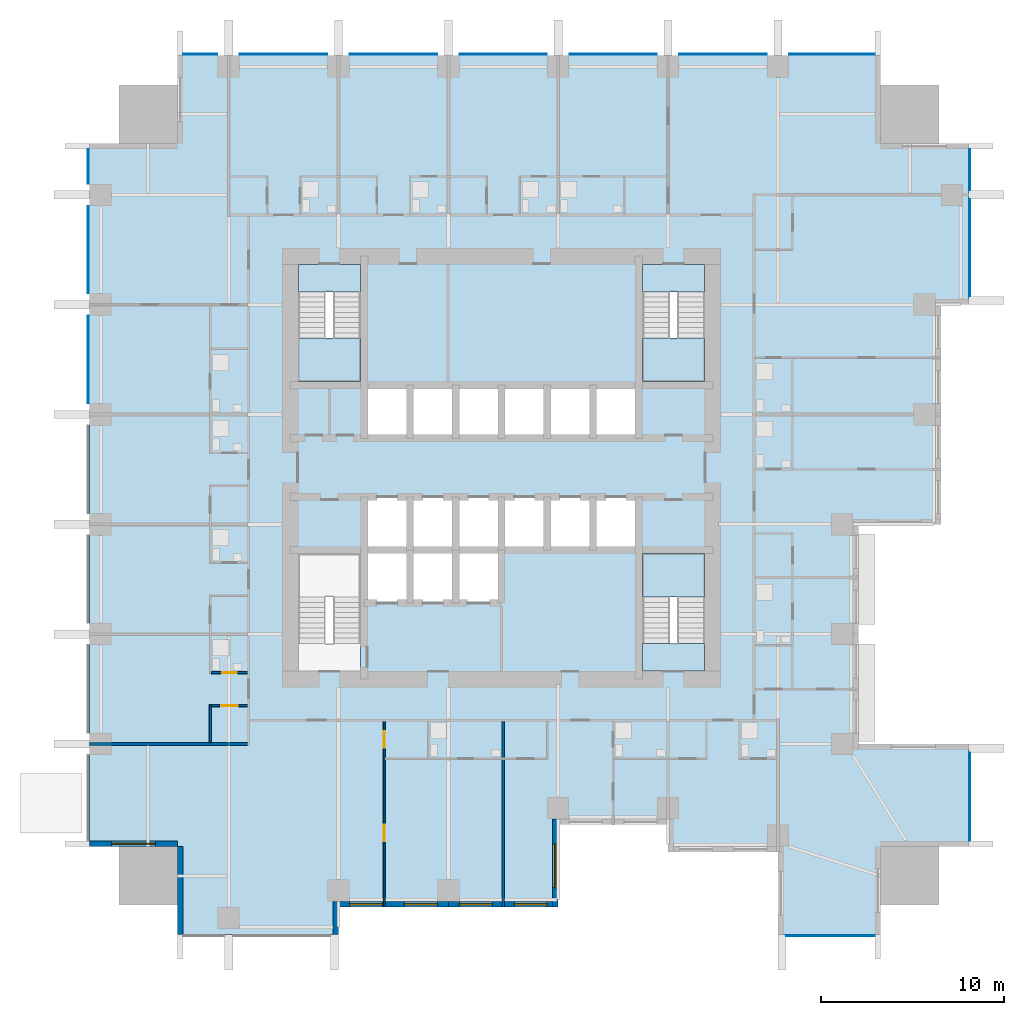
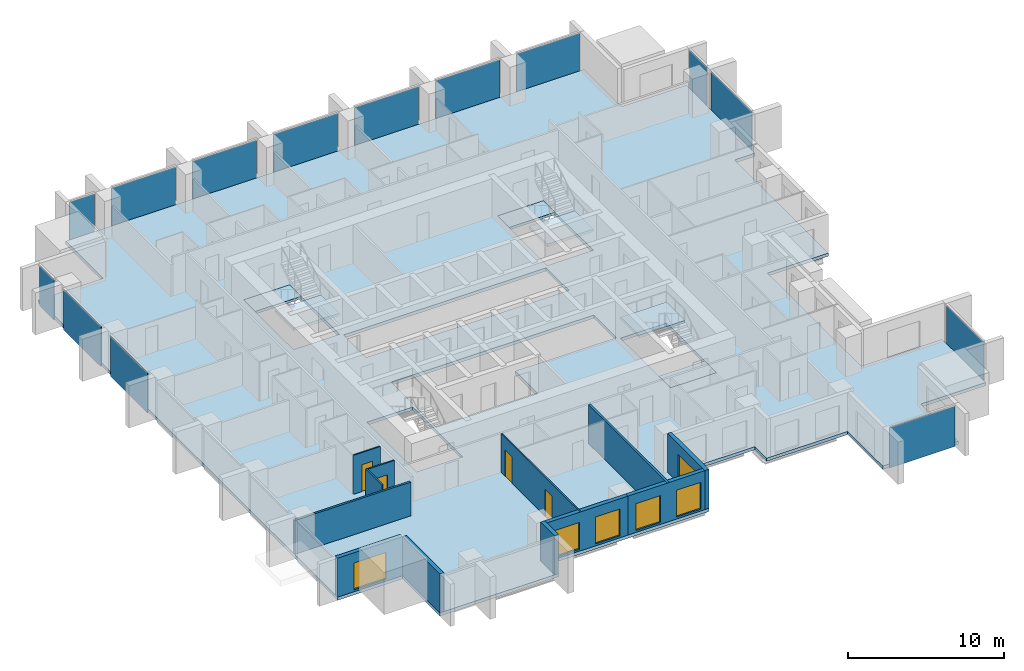
# One storey, part 3 of 10: 14 plates, 12 walls, 7 slabs, 6 windows, 4 doors, 10 openings, 8 elements without a shape of their own.
"""IFC4 building model written with IfcOpenShell, lengths in metres."""

from ifc_helpers import new_model, si_unit, direction, frame, frame_2d, origin, origin_2d, place, context, subcontext, project, spatial, polyline, rectangle, outline, extrude, material, layer, layer_set, type_object, element, fill, aggregate, save


model = new_model("IFC4")

# Units and contexts
model_context = context("Model", 3, precision=1e-05, world=origin(), true_north=direction((0.0, 1.0)))
body_context = subcontext(model_context, "Body", "Model", "MODEL_VIEW")
ifc_project = project(units=[si_unit("LENGTHUNIT", "METRE"), si_unit("AREAUNIT", "SQUARE_METRE"), si_unit("VOLUMEUNIT", "CUBIC_METRE"), si_unit("PLANEANGLEUNIT", "RADIAN"), si_unit("MASSUNIT", "GRAM", prefix="KILO")], contexts=[model_context])

# Site, building, storey
site_placement = place(None, origin())
site = spatial("IfcSite", under=ifc_project, at=site_placement, CompositionType="ELEMENT")
building_placement = place(site_placement, origin())
building = spatial("IfcBuilding", under=site, at=building_placement, Name="Amberfall Residences", CompositionType="ELEMENT")
storey_placement = place(building_placement, frame((0.0, 0.0, 26.800048828125)))
storey = spatial("IfcBuildingStorey", under=building, at=storey_placement, Name="L06", CompositionType="ELEMENT", Elevation=26.800048828125)

# Curtain wall, plate
ifc_material_1 = material(Name="Bronze anodised aluminium and glass", Category="aluminium")
curtain_wall_type = type_object("IfcCurtainWallType", Name="Curtain wall CW1 tower unit", PredefinedType="USERDEFINED", material=ifc_material_1)
curtain_wall_1_placement = place(storey_placement, origin())
curtain_wall_1 = element("IfcCurtainWall", 1, at=curtain_wall_1_placement, inside=storey, type_object=curtain_wall_type, Name="Curtain wall L06 S S10", ObjectType="UNITISED CURTAIN WALL", PredefinedType="USERDEFINED")
ifc_material_2 = material(Name="Tinted double glazed unit", Category="glass")
ifc_layer_1 = layer(ifc_material_2, 0.035888671875)
ifc_layer_set_1 = layer_set([ifc_layer_1], Name="CW1 panel 36 glazing")
plate_type = type_object("IfcPlateType", Name="CW1 panel 36 glazing", PredefinedType="CURTAIN_PANEL", material=ifc_layer_set_1)
plate_1_placement = place(storey_placement, frame((92.47509765625, 19.925048828125, -0.25), z_axis=(0.0, 0.0, 1.0), x_axis=(1.0, 0.0, 0.0)))
plate_1 = element("IfcPlate", 2, at=plate_1_placement, type_object=plate_type, Name="CW1 panel 1.1", PredefinedType="CURTAIN_PANEL", context=body_context, shape_type="SweptSolid", body=[
    extrude(rectangle(XDim=4.825927734375, YDim=0.035888671875, at=origin_2d()), origin(), (0.0, 0.0, 1.0), 3.14990234375),
])
aggregate(curtain_wall_1, [plate_1])

curtain_wall_2_placement = place(storey_placement, origin())
curtain_wall_2 = element("IfcCurtainWall", 3, at=curtain_wall_2_placement, inside=storey, type_object=curtain_wall_type, Name="Curtain wall L06 E E1", ObjectType="UNITISED CURTAIN WALL", PredefinedType="USERDEFINED")
plate_2_placement = place(storey_placement, frame((100.074951171875, 27.52490234375, -0.25), z_axis=(0.0, 0.0, 1.0), x_axis=(0.0, 1.0, 0.0)))
plate_2 = element("IfcPlate", 4, at=plate_2_placement, type_object=plate_type, Name="CW1 panel 1.1", PredefinedType="CURTAIN_PANEL", context=body_context, shape_type="SweptSolid", body=[
    extrude(rectangle(XDim=4.825927734375, YDim=0.035888671875, at=origin_2d()), origin(), (0.0, 0.0, 1.0), 3.14990234375),
])
aggregate(curtain_wall_2, [plate_2])

# Curtain wall, plates
curtain_wall_3_placement = place(storey_placement, origin())
curtain_wall_3 = element("IfcCurtainWall", 5, at=curtain_wall_3_placement, inside=storey, type_object=curtain_wall_type, Name="Curtain wall L06 E E9", ObjectType="UNITISED CURTAIN WALL", PredefinedType="USERDEFINED")
plate_3_placement = place(storey_placement, frame((100.074951171875, 57.512451171875, -0.25), z_axis=(0.0, 0.0, 1.0), x_axis=(0.0, 1.0, 0.0)))
plate_3 = element("IfcPlate", 6, at=plate_3_placement, type_object=plate_type, Name="CW1 panel 1.1", PredefinedType="CURTAIN_PANEL", context=body_context, shape_type="SweptSolid", body=[
    extrude(rectangle(XDim=5.301025390625, YDim=0.035888671875, at=origin_2d()), origin(), (0.0, 0.0, 1.0), 3.14990234375),
])
plate_4_placement = place(storey_placement, frame((100.074951171875, 61.762451171875, -0.25), z_axis=(0.0, 0.0, 1.0), x_axis=(0.0, 1.0, 0.0)))
plate_4 = element("IfcPlate", 7, at=plate_4_placement, type_object=plate_type, Name="CW1 panel 2.1", PredefinedType="CURTAIN_PANEL", context=body_context, shape_type="SweptSolid", body=[
    extrude(rectangle(XDim=2.2509765625, YDim=0.035888671875, at=origin_2d()), origin(), (0.0, 0.0, 1.0), 3.14990234375),
])
aggregate(curtain_wall_3, [plate_3, plate_4])

curtain_wall_4_placement = place(storey_placement, origin())
curtain_wall_4 = element("IfcCurtainWall", 8, at=curtain_wall_4_placement, inside=storey, type_object=curtain_wall_type, Name="Curtain wall L06 N N1", ObjectType="UNITISED CURTAIN WALL", PredefinedType="USERDEFINED")
plate_5_placement = place(storey_placement, frame((92.552490234375, 68.074951171875, -0.25), z_axis=(0.0, 0.0, 1.0), x_axis=(-1.0, 0.0, 0.0)))
plate_5 = element("IfcPlate", 9, at=plate_5_placement, type_object=plate_type, Name="CW1 panel 1.1", PredefinedType="CURTAIN_PANEL", context=body_context, shape_type="SweptSolid", body=[
    extrude(rectangle(XDim=4.6708984375, YDim=0.035888671875, at=origin_2d()), origin(), (0.0, 0.0, 1.0), 3.14990234375),
])
plate_6_placement = place(storey_placement, frame((86.60009765625, 68.074951171875, -0.25), z_axis=(0.0, 0.0, 1.0), x_axis=(-1.0, 0.0, 0.0)))
plate_6 = element("IfcPlate", 10, at=plate_6_placement, type_object=plate_type, Name="CW1 panel 2.1", PredefinedType="CURTAIN_PANEL", context=body_context, shape_type="SweptSolid", body=[
    extrude(rectangle(XDim=4.76611328125, YDim=0.035888671875, at=origin_2d()), origin(), (0.0, 0.0, 1.0), 3.14990234375),
])
plate_7_placement = place(storey_placement, frame((80.60009765625, 68.074951171875, -0.25), z_axis=(0.0, 0.0, 1.0), x_axis=(-1.0, 0.0, 0.0)))
plate_7 = element("IfcPlate", 11, at=plate_7_placement, type_object=plate_type, Name="CW1 panel 3.1", PredefinedType="CURTAIN_PANEL", context=body_context, shape_type="SweptSolid", body=[
    extrude(rectangle(XDim=4.76611328125, YDim=0.035888671875, at=origin_2d()), origin(), (0.0, 0.0, 1.0), 3.14990234375),
])
plate_8_placement = place(storey_placement, frame((74.60009765625, 68.074951171875, -0.25), z_axis=(0.0, 0.0, 1.0), x_axis=(-1.0, 0.0, 0.0)))
plate_8 = element("IfcPlate", 12, at=plate_8_placement, type_object=plate_type, Name="CW1 panel 4.1", PredefinedType="CURTAIN_PANEL", context=body_context, shape_type="SweptSolid", body=[
    extrude(rectangle(XDim=4.76611328125, YDim=0.035888671875, at=origin_2d()), origin(), (0.0, 0.0, 1.0), 3.14990234375),
])
plate_9_placement = place(storey_placement, frame((68.60009765625, 68.074951171875, -0.25), z_axis=(0.0, 0.0, 1.0), x_axis=(-1.0, 0.0, 0.0)))
plate_9 = element("IfcPlate", 13, at=plate_9_placement, type_object=plate_type, Name="CW1 panel 5.1", PredefinedType="CURTAIN_PANEL", context=body_context, shape_type="SweptSolid", body=[
    extrude(rectangle(XDim=4.76611328125, YDim=0.035888671875, at=origin_2d()), origin(), (0.0, 0.0, 1.0), 3.14990234375),
])
plate_10_placement = place(storey_placement, frame((62.60009765625, 68.074951171875, -0.25), z_axis=(0.0, 0.0, 1.0), x_axis=(-1.0, 0.0, 0.0)))
plate_10 = element("IfcPlate", 14, at=plate_10_placement, type_object=plate_type, Name="CW1 panel 6.1", PredefinedType="CURTAIN_PANEL", context=body_context, shape_type="SweptSolid", body=[
    extrude(rectangle(XDim=4.76611328125, YDim=0.035888671875, at=origin_2d()), origin(), (0.0, 0.0, 1.0), 3.14990234375),
])
plate_11_placement = place(storey_placement, frame((58.047607421875, 68.074951171875, -0.25), z_axis=(0.0, 0.0, 1.0), x_axis=(-1.0, 0.0, 0.0)))
plate_11 = element("IfcPlate", 15, at=plate_11_placement, type_object=plate_type, Name="CW1 panel 7.1", PredefinedType="CURTAIN_PANEL", context=body_context, shape_type="SweptSolid", body=[
    extrude(rectangle(XDim=1.87109375, YDim=0.035888671875, at=origin_2d()), origin(), (0.0, 0.0, 1.0), 3.14990234375),
])
aggregate(curtain_wall_4, [plate_5, plate_6, plate_7, plate_8, plate_9, plate_10, plate_11])

curtain_wall_5_placement = place(storey_placement, origin())
curtain_wall_5 = element("IfcCurtainWall", 16, at=curtain_wall_5_placement, inside=storey, type_object=curtain_wall_type, Name="Curtain wall L06 W W1", ObjectType="UNITISED CURTAIN WALL", PredefinedType="USERDEFINED")
plate_12_placement = place(storey_placement, frame((51.925048828125, 61.952392578125, -0.25), z_axis=(0.0, 0.0, 1.0), x_axis=(0.0, -1.0, 0.0)))
plate_12 = element("IfcPlate", 17, at=plate_12_placement, type_object=plate_type, Name="CW1 panel 1.1", PredefinedType="CURTAIN_PANEL", context=body_context, shape_type="SweptSolid", body=[
    extrude(rectangle(XDim=1.87109375, YDim=0.035888671875, at=origin_2d()), origin(), (0.0, 0.0, 1.0), 3.14990234375),
])
plate_13_placement = place(storey_placement, frame((51.925048828125, 57.39990234375, -0.25), z_axis=(0.0, 0.0, 1.0), x_axis=(0.0, -1.0, 0.0)))
plate_13 = element("IfcPlate", 18, at=plate_13_placement, type_object=plate_type, Name="CW1 panel 2.1", PredefinedType="CURTAIN_PANEL", context=body_context, shape_type="SweptSolid", body=[
    extrude(rectangle(XDim=4.76611328125, YDim=0.035888671875, at=origin_2d()), origin(), (0.0, 0.0, 1.0), 3.14990234375),
])
plate_14_placement = place(storey_placement, frame((51.925048828125, 51.39990234375, -0.25), z_axis=(0.0, 0.0, 1.0), x_axis=(0.0, -1.0, 0.0)))
plate_14 = element("IfcPlate", 19, at=plate_14_placement, type_object=plate_type, Name="CW1 panel 3.1", PredefinedType="CURTAIN_PANEL", context=body_context, shape_type="SweptSolid", body=[
    extrude(rectangle(XDim=4.76611328125, YDim=0.035888671875, at=origin_2d()), origin(), (0.0, 0.0, 1.0), 3.14990234375),
])
aggregate(curtain_wall_5, [plate_12, plate_13, plate_14])

# Slab
ifc_material_3 = material(Name="Concrete C80", Category="concrete")
ifc_layer_2 = layer(ifc_material_3, 0.25)
ifc_layer_set_2 = layer_set([ifc_layer_2], Name="Floor slab 250 C80")
slab_type_1 = type_object("IfcSlabType", Name="Floor slab 250 C80", PredefinedType="FLOOR", material=ifc_layer_set_2)
slab_1_placement = place(storey_placement, frame((0.0, 0.0, -0.25)))
element("IfcSlab", 20, at=slab_1_placement, inside=storey, type_object=slab_type_1, Name="Floor slab S3 L06", PredefinedType="FLOOR", context=body_context, shape_type="SweptSolid", body=[
    extrude(outline(polyline([(89.60009765625, 20.0), (89.60009765625, 24.5), (83.60009765625, 24.5), (83.60009765625, 26.0), (77.60009765625, 26.0), (77.60009765625, 21.5), (71.60009765625, 21.5), (65.60009765625, 21.5), (65.60009765625, 20.0), (56.800048828125, 20.0), (56.800048828125, 24.800048828125), (52.0, 24.800048828125), (52.0, 63.199951171875), (56.800048828125, 63.199951171875), (56.800048828125, 68.0), (95.199951171875, 68.0), (95.199951171875, 63.199951171875), (100.0, 63.199951171875), (100.0, 54.39990234375), (98.5, 54.39990234375), (98.5, 48.39990234375), (98.5, 42.39990234375), (94.0, 42.39990234375), (94.0, 36.39990234375), (94.0, 30.39990234375), (100.0, 30.39990234375), (100.0, 24.800048828125), (95.199951171875, 24.800048828125), (95.199951171875, 20.0), (89.60009765625, 20.0)]), holes=[polyline([(85.60009765625, 34.39990234375), (85.60009765625, 40.800048828125), (82.199951171875, 40.800048828125), (82.199951171875, 34.39990234375), (85.60009765625, 34.39990234375)]), polyline([(82.199951171875, 50.199951171875), (85.60009765625, 50.199951171875), (85.60009765625, 56.60009765625), (82.199951171875, 56.60009765625), (82.199951171875, 50.199951171875)]), polyline([(69.5, 50.0), (67.0, 50.0), (67.0, 47.10009765625), (69.5, 47.10009765625), (72.0, 47.10009765625), (74.5, 47.10009765625), (77.0, 47.10009765625), (79.5, 47.10009765625), (82.0, 47.10009765625), (82.0, 50.0), (79.5, 50.0), (77.0, 50.0), (74.5, 50.0), (72.0, 50.0), (69.5, 50.0)]), polyline([(74.5, 41.0), (77.0, 41.0), (79.5, 41.0), (82.0, 41.0), (82.0, 43.89990234375), (79.5, 43.89990234375), (77.0, 43.89990234375), (74.5, 43.89990234375), (72.0, 43.89990234375), (69.5, 43.89990234375), (67.0, 43.89990234375), (67.0, 41.0), (67.0, 38.10009765625), (69.5, 38.10009765625), (72.0, 38.10009765625), (74.5, 38.10009765625), (74.5, 41.0)]), polyline([(66.800048828125, 34.39990234375), (66.800048828125, 40.800048828125), (63.39990234375, 40.800048828125), (63.39990234375, 34.39990234375), (66.800048828125, 34.39990234375)]), polyline([(66.800048828125, 50.199951171875), (66.800048828125, 56.60009765625), (63.39990234375, 56.60009765625), (63.39990234375, 50.199951171875), (66.800048828125, 50.199951171875)])]), origin(), (0.0, 0.0, 1.0), 0.25),
])

# Stair, slabs
ifc_material_4 = material(Name="Concrete C40", Category="concrete")
stair_type = type_object("IfcStairType", Name="Exit stair 20 risers 165.0 mm", PredefinedType="HALF_TURN_STAIR", material=ifc_material_4)
stair_1_placement = place(storey_placement, origin())
stair_1 = element("IfcStair", 21, at=stair_1_placement, inside=storey, type_object=stair_type, Name="L06 Exit stair 2", PredefinedType="HALF_TURN_STAIR")
ifc_layer_3 = layer(ifc_material_4, 0.199951171875)
ifc_layer_set_3 = layer_set([ifc_layer_3], Name="Stair landing 200")
slab_type_2 = type_object("IfcSlabType", Name="Stair landing 200", PredefinedType="LANDING", material=ifc_layer_set_3)
slab_2_placement = place(storey_placement, frame((0.0, 0.0, 1.449951171875)))
slab_2 = element("IfcSlab", 22, at=slab_2_placement, type_object=slab_type_2, Name="ST3 landing 1", PredefinedType="LANDING", context=body_context, shape_type="SweptSolid", body=[
    extrude(outline(polyline([(85.60009765625, 38.419921875), (85.60009765625, 40.800048828125), (82.199951171875, 40.800048828125), (82.199951171875, 38.419921875), (85.60009765625, 38.419921875)])), origin(), (0.0, 0.0, 1.0), 0.199951171875),
])
slab_3_placement = place(storey_placement, frame((0.0, 0.0, -0.199951171875)))
slab_3 = element("IfcSlab", 23, at=slab_3_placement, type_object=slab_type_2, Name="ST3 landing 2", PredefinedType="LANDING", context=body_context, shape_type="SweptSolid", body=[
    extrude(outline(polyline([(85.60009765625, 34.39990234375), (85.60009765625, 35.89990234375), (82.199951171875, 35.89990234375), (82.199951171875, 34.39990234375), (85.60009765625, 34.39990234375)])), origin(), (0.0, 0.0, 1.0), 0.199951171875),
])
aggregate(stair_1, [slab_2, slab_3])

stair_2_placement = place(storey_placement, origin())
stair_2 = element("IfcStair", 24, at=stair_2_placement, inside=storey, type_object=stair_type, Name="L06 Exit stair 3", PredefinedType="HALF_TURN_STAIR")
slab_4_placement = place(storey_placement, frame((0.0, 0.0, 1.449951171875)))
slab_4 = element("IfcSlab", 25, at=slab_4_placement, type_object=slab_type_2, Name="ST3 landing 1", PredefinedType="LANDING", context=body_context, shape_type="SweptSolid", body=[
    extrude(outline(polyline([(82.199951171875, 52.580078125), (82.199951171875, 50.199951171875), (85.60009765625, 50.199951171875), (85.60009765625, 52.580078125), (82.199951171875, 52.580078125)])), origin(), (0.0, 0.0, 1.0), 0.199951171875),
])
slab_5_placement = place(storey_placement, frame((0.0, 0.0, -0.199951171875)))
slab_5 = element("IfcSlab", 26, at=slab_5_placement, type_object=slab_type_2, Name="ST3 landing 2", PredefinedType="LANDING", context=body_context, shape_type="SweptSolid", body=[
    extrude(outline(polyline([(82.199951171875, 56.60009765625), (82.199951171875, 55.10009765625), (85.60009765625, 55.10009765625), (85.60009765625, 56.60009765625), (82.199951171875, 56.60009765625)])), origin(), (0.0, 0.0, 1.0), 0.199951171875),
])
aggregate(stair_2, [slab_4, slab_5])

stair_3_placement = place(storey_placement, origin())
stair_3 = element("IfcStair", 27, at=stair_3_placement, inside=storey, type_object=stair_type, Name="L06 Exit stair 4", PredefinedType="HALF_TURN_STAIR")
slab_6_placement = place(storey_placement, frame((0.0, 0.0, 1.449951171875)))
slab_6 = element("IfcSlab", 28, at=slab_6_placement, type_object=slab_type_2, Name="ST3 landing 1", PredefinedType="LANDING", context=body_context, shape_type="SweptSolid", body=[
    extrude(outline(polyline([(63.39990234375, 52.580078125), (63.39990234375, 50.199951171875), (66.800048828125, 50.199951171875), (66.800048828125, 52.580078125), (63.39990234375, 52.580078125)])), origin(), (0.0, 0.0, 1.0), 0.199951171875),
])
slab_7_placement = place(storey_placement, frame((0.0, 0.0, -0.199951171875)))
slab_7 = element("IfcSlab", 29, at=slab_7_placement, type_object=slab_type_2, Name="ST3 landing 2", PredefinedType="LANDING", context=body_context, shape_type="SweptSolid", body=[
    extrude(outline(polyline([(63.39990234375, 56.60009765625), (63.39990234375, 55.10009765625), (66.800048828125, 55.10009765625), (66.800048828125, 56.60009765625), (63.39990234375, 56.60009765625)])), origin(), (0.0, 0.0, 1.0), 0.199951171875),
])
aggregate(stair_3, [slab_6, slab_7])

# Wall
ifc_material_5 = material(Name="Pale stone cladding on insulated backing", Category="masonry")
ifc_layer_4 = layer(ifc_material_5, 0.300048828125)
ifc_layer_set_4 = layer_set([ifc_layer_4], Name="Bronze clad wall 300")
wall_type_1 = type_object("IfcWallType", Name="Bronze clad wall 300", PredefinedType="SOLIDWALL", material=ifc_layer_set_4)
wall_1_placement = place(storey_placement, frame((65.449951171875, 20.0, 0.0), z_axis=(0.0, 0.0, 1.0), x_axis=(0.0, 1.0, 0.0)))
element("IfcWall", 30, at=wall_1_placement, inside=storey, type_object=wall_type_1, Name="External wall L06 S", PredefinedType="SOLIDWALL", context=body_context, shape_type="SweptSolid", body=[
    extrude(rectangle(XDim=1.800048828125, YDim=0.300048828125, at=frame_2d((0.89990234375, 0.0))), origin(), (0.0, 0.0, 1.0), 3.050048828125),
])

# Wall, opening, window
wall_2_placement = place(storey_placement, frame((77.449951171875, 21.5, 0.0), z_axis=(0.0, 0.0, 1.0), x_axis=(0.0, 1.0, 0.0)))
wall_2 = element("IfcWall", 31, at=wall_2_placement, inside=storey, type_object=wall_type_1, Name="External wall L06 S", PredefinedType="SOLIDWALL", context=body_context, shape_type="SweptSolid", body=[
    extrude(rectangle(XDim=4.800048828125, YDim=0.300048828125, at=frame_2d((2.39990234375, 0.0))), origin(), (0.0, 0.0, 1.0), 3.050048828125),
])
opening_1_placement = place(wall_2_placement, frame((1.050048828125, 0.0, 0.14990234375)))
opening_1 = element("IfcOpeningElement", 32, at=opening_1_placement, cuts=wall_2, Name="Opening WN5", PredefinedType="OPENING", context=body_context, shape_type="SweptSolid", body=[
    extrude(rectangle(XDim=2.39990234375, YDim=2.10009765625, at=frame_2d((1.199951171875, 1.050048828125))), frame((0.0, 0.159912109375, 0.0), z_axis=(0.0, -1.0, 0.0), x_axis=(1.0, 0.0, 0.0)), (0.0, 0.0, 1.0), 0.320068359375),
])
ifc_material_6 = material(Name="Bronze aluminium framed glazing", Category="aluminium")
window_type_1 = type_object("IfcWindowType", Name="Glazed opening 2400 x 2100 bronze", PartitioningType="DOUBLE_PANEL_VERTICAL", PredefinedType="WINDOW", material=ifc_material_6)
window_1_placement = place(opening_1_placement, origin())
window_1 = element("IfcWindow", 33, at=window_1_placement, inside=storey, type_object=window_type_1, Name="Window L06 S", OverallHeight=2.10009765625, OverallWidth=2.39990234375, PartitioningType="DOUBLE_PANEL_VERTICAL", PredefinedType="WINDOW", context=body_context, shape_type="SweptSolid", body=[
    extrude(rectangle(XDim=2.39990234375, YDim=2.10009765625, at=frame_2d((1.199951171875, 1.050048828125))), frame((0.0, 0.030029296875, 0.0), z_axis=(0.0, -1.0, 0.0), x_axis=(1.0, 0.0, 0.0)), (0.0, 0.0, 1.0), 0.06005859375),
])
fill(opening_1, window_1)

wall_3_placement = place(storey_placement, frame((52.0, 24.949951171875, 0.0), z_axis=(0.0, 0.0, 1.0), x_axis=(1.0, 0.0, 0.0)))
wall_3 = element("IfcWall", 34, at=wall_3_placement, inside=storey, type_object=wall_type_1, Name="External wall L06 SW", PredefinedType="SOLIDWALL", context=body_context, shape_type="SweptSolid", body=[
    extrude(rectangle(XDim=4.800048828125, YDim=0.300048828125, at=frame_2d((2.39990234375, 0.0))), origin(), (0.0, 0.0, 1.0), 3.050048828125),
])
opening_2_placement = place(wall_3_placement, frame((1.199951171875, 0.0, 0.14990234375)))
opening_2 = element("IfcOpeningElement", 35, at=opening_2_placement, cuts=wall_3, Name="Opening WN5", PredefinedType="OPENING", context=body_context, shape_type="SweptSolid", body=[
    extrude(rectangle(XDim=2.39990234375, YDim=2.10009765625, at=frame_2d((1.199951171875, 1.050048828125))), frame((0.0, 0.159912109375, 0.0), z_axis=(0.0, -1.0, 0.0), x_axis=(1.0, 0.0, 0.0)), (0.0, 0.0, 1.0), 0.320068359375),
])
window_2_placement = place(opening_2_placement, origin())
window_2 = element("IfcWindow", 36, at=window_2_placement, inside=storey, type_object=window_type_1, Name="Window L06 SW", OverallHeight=2.10009765625, OverallWidth=2.39990234375, PartitioningType="DOUBLE_PANEL_VERTICAL", PredefinedType="WINDOW", context=body_context, shape_type="SweptSolid", body=[
    extrude(rectangle(XDim=2.39990234375, YDim=2.10009765625, at=frame_2d((1.199951171875, 1.050048828125))), frame((0.0, 0.030029296875, 0.0), z_axis=(0.0, -1.0, 0.0), x_axis=(1.0, 0.0, 0.0)), (0.0, 0.0, 1.0), 0.06005859375),
])
fill(opening_2, window_2)

# Wall
wall_4_placement = place(storey_placement, frame((56.949951171875, 24.800048828125, 0.0), z_axis=(0.0, 0.0, 1.0), x_axis=(0.0, -1.0, 0.0)))
element("IfcWall", 37, at=wall_4_placement, inside=storey, type_object=wall_type_1, Name="External wall L06 SW", PredefinedType="SOLIDWALL", context=body_context, shape_type="SweptSolid", body=[
    extrude(rectangle(XDim=4.800048828125, YDim=0.300048828125, at=frame_2d((2.39990234375, 0.0))), origin(), (0.0, 0.0, 1.0), 3.050048828125),
])

# Wall, openings, windows
wall_5_placement = place(storey_placement, frame((65.60009765625, 21.64990234375, 0.0), z_axis=(0.0, 0.0, 1.0), x_axis=(1.0, 0.0, 0.0)))
wall_5 = element("IfcWall", 38, at=wall_5_placement, inside=storey, type_object=wall_type_1, Name="Stone wall L06 S", PredefinedType="SOLIDWALL", context=body_context, shape_type="SweptSolid", body=[
    extrude(rectangle(XDim=6.0, YDim=0.300048828125, at=frame_2d((3.0, 0.0))), origin(), (0.0, 0.0, 1.0), 3.050048828125),
])
opening_3_placement = place(wall_5_placement, frame((0.60009765625, 0.0, 0.14990234375)))
opening_3 = element("IfcOpeningElement", 39, at=opening_3_placement, cuts=wall_5, Name="Opening WN6", PredefinedType="OPENING", context=body_context, shape_type="SweptSolid", body=[
    extrude(rectangle(XDim=1.800048828125, YDim=2.10009765625, at=frame_2d((0.89990234375, 1.050048828125))), frame((0.0, 0.159912109375, 0.0), z_axis=(0.0, -1.0, 0.0), x_axis=(1.0, 0.0, 0.0)), (0.0, 0.0, 1.0), 0.320068359375),
])
opening_4_placement = place(wall_5_placement, frame((3.60009765625, 0.0, 0.14990234375)))
opening_4 = element("IfcOpeningElement", 40, at=opening_4_placement, cuts=wall_5, Name="Opening WN6", PredefinedType="OPENING", context=body_context, shape_type="SweptSolid", body=[
    extrude(rectangle(XDim=1.800048828125, YDim=2.10009765625, at=frame_2d((0.89990234375, 1.050048828125))), frame((0.0, 0.159912109375, 0.0), z_axis=(0.0, -1.0, 0.0), x_axis=(1.0, 0.0, 0.0)), (0.0, 0.0, 1.0), 0.320068359375),
])
window_type_2 = type_object("IfcWindowType", Name="Glazed opening 1800 x 2100 bronze", PartitioningType="DOUBLE_PANEL_VERTICAL", PredefinedType="WINDOW", material=ifc_material_6)
window_3_placement = place(opening_3_placement, origin())
window_3 = element("IfcWindow", 41, at=window_3_placement, inside=storey, type_object=window_type_2, Name="Window L06 S", OverallHeight=2.10009765625, OverallWidth=1.800048828125, PartitioningType="DOUBLE_PANEL_VERTICAL", PredefinedType="WINDOW", context=body_context, shape_type="SweptSolid", body=[
    extrude(rectangle(XDim=1.800048828125, YDim=2.10009765625, at=frame_2d((0.89990234375, 1.050048828125))), frame((0.0, 0.030029296875, 0.0), z_axis=(0.0, -1.0, 0.0), x_axis=(1.0, 0.0, 0.0)), (0.0, 0.0, 1.0), 0.06005859375),
])
fill(opening_3, window_3)
window_4_placement = place(opening_4_placement, origin())
window_4 = element("IfcWindow", 42, at=window_4_placement, inside=storey, type_object=window_type_2, Name="Window L06 S", OverallHeight=2.10009765625, OverallWidth=1.800048828125, PartitioningType="DOUBLE_PANEL_VERTICAL", PredefinedType="WINDOW", context=body_context, shape_type="SweptSolid", body=[
    extrude(rectangle(XDim=1.800048828125, YDim=2.10009765625, at=frame_2d((0.89990234375, 1.050048828125))), frame((0.0, 0.030029296875, 0.0), z_axis=(0.0, -1.0, 0.0), x_axis=(1.0, 0.0, 0.0)), (0.0, 0.0, 1.0), 0.06005859375),
])
fill(opening_4, window_4)

wall_6_placement = place(storey_placement, frame((71.60009765625, 21.64990234375, 0.0), z_axis=(0.0, 0.0, 1.0), x_axis=(1.0, 0.0, 0.0)))
wall_6 = element("IfcWall", 43, at=wall_6_placement, inside=storey, type_object=wall_type_1, Name="Stone wall L06 S", PredefinedType="SOLIDWALL", context=body_context, shape_type="SweptSolid", body=[
    extrude(rectangle(XDim=5.699951171875, YDim=0.300048828125, at=frame_2d((2.85009765625, 0.0))), origin(), (0.0, 0.0, 1.0), 3.050048828125),
])
opening_5_placement = place(wall_6_placement, frame((0.60009765625, 0.0, 0.14990234375)))
opening_5 = element("IfcOpeningElement", 44, at=opening_5_placement, cuts=wall_6, Name="Opening WN6", PredefinedType="OPENING", context=body_context, shape_type="SweptSolid", body=[
    extrude(rectangle(XDim=1.800048828125, YDim=2.10009765625, at=frame_2d((0.89990234375, 1.050048828125))), frame((0.0, 0.159912109375, 0.0), z_axis=(0.0, -1.0, 0.0), x_axis=(1.0, 0.0, 0.0)), (0.0, 0.0, 1.0), 0.320068359375),
])
opening_6_placement = place(wall_6_placement, frame((3.60009765625, 0.0, 0.14990234375)))
opening_6 = element("IfcOpeningElement", 45, at=opening_6_placement, cuts=wall_6, Name="Opening WN6", PredefinedType="OPENING", context=body_context, shape_type="SweptSolid", body=[
    extrude(rectangle(XDim=1.800048828125, YDim=2.10009765625, at=frame_2d((0.89990234375, 1.050048828125))), frame((0.0, 0.159912109375, 0.0), z_axis=(0.0, -1.0, 0.0), x_axis=(1.0, 0.0, 0.0)), (0.0, 0.0, 1.0), 0.320068359375),
])
window_5_placement = place(opening_5_placement, origin())
window_5 = element("IfcWindow", 46, at=window_5_placement, inside=storey, type_object=window_type_2, Name="Window L06 S", OverallHeight=2.10009765625, OverallWidth=1.800048828125, PartitioningType="DOUBLE_PANEL_VERTICAL", PredefinedType="WINDOW", context=body_context, shape_type="SweptSolid", body=[
    extrude(rectangle(XDim=1.800048828125, YDim=2.10009765625, at=frame_2d((0.89990234375, 1.050048828125))), frame((0.0, 0.030029296875, 0.0), z_axis=(0.0, -1.0, 0.0), x_axis=(1.0, 0.0, 0.0)), (0.0, 0.0, 1.0), 0.06005859375),
])
fill(opening_5, window_5)
window_6_placement = place(opening_6_placement, origin())
window_6 = element("IfcWindow", 47, at=window_6_placement, inside=storey, type_object=window_type_2, Name="Window L06 S", OverallHeight=2.10009765625, OverallWidth=1.800048828125, PartitioningType="DOUBLE_PANEL_VERTICAL", PredefinedType="WINDOW", context=body_context, shape_type="SweptSolid", body=[
    extrude(rectangle(XDim=1.800048828125, YDim=2.10009765625, at=frame_2d((0.89990234375, 1.050048828125))), frame((0.0, 0.030029296875, 0.0), z_axis=(0.0, -1.0, 0.0), x_axis=(1.0, 0.0, 0.0)), (0.0, 0.0, 1.0), 0.06005859375),
])
fill(opening_6, window_6)

# Wall
ifc_material_7 = material(Name="Gypsum board on metal stud")
ifc_layer_5 = layer(ifc_material_7, 0.10009765625)
ifc_layer_set_5 = layer_set([ifc_layer_5], Name="Flat partition 100")
wall_type_2 = type_object("IfcWallType", Name="Flat partition 100", PredefinedType="PARTITIONING", material=ifc_layer_set_5)
wall_7_placement = place(storey_placement, frame((58.60009765625, 30.47509765625, 0.0), z_axis=(0.0, 0.0, 1.0), x_axis=(0.0, 1.0, 0.0)))
element("IfcWall", 48, at=wall_7_placement, inside=storey, type_object=wall_type_2, Name="Partition 001", PredefinedType="PARTITIONING", context=body_context, shape_type="SweptSolid", body=[
    extrude(rectangle(XDim=2.074951171875, YDim=0.10009765625, at=frame_2d((1.03759765625, 0.0))), origin(), (0.0, 0.0, 1.0), 3.050048828125),
])

# Wall, openings, doors
wall_8_placement = place(storey_placement, frame((68.10009765625, 31.625, 0.0), z_axis=(0.0, 0.0, 1.0), x_axis=(0.0, -1.0, 0.0)))
wall_8 = element("IfcWall", 49, at=wall_8_placement, inside=storey, type_object=wall_type_2, Name="Partition 008", PredefinedType="PARTITIONING", context=body_context, shape_type="SweptSolid", body=[
    extrude(rectangle(XDim=10.125, YDim=0.10009765625, at=frame_2d((5.0625, 0.0))), origin(), (0.0, 0.0, 1.0), 3.050048828125),
])
opening_7_placement = place(wall_8_placement, frame((0.52490234375, 0.0, 0.0)))
opening_7 = element("IfcOpeningElement", 50, at=opening_7_placement, cuts=wall_8, Name="Opening D41", PredefinedType="OPENING", context=body_context, shape_type="SweptSolid", body=[
    extrude(rectangle(XDim=0.89990234375, YDim=2.10009765625, at=frame_2d((0.449951171875, 1.050048828125))), frame((0.0, 0.06005859375, 0.0), z_axis=(0.0, -1.0, 0.0), x_axis=(1.0, 0.0, 0.0)), (0.0, 0.0, 1.0), 0.1201171875),
])
opening_8_placement = place(wall_8_placement, frame((5.625, 0.0, 0.0)))
opening_8 = element("IfcOpeningElement", 51, at=opening_8_placement, cuts=wall_8, Name="Opening D41", PredefinedType="OPENING", context=body_context, shape_type="SweptSolid", body=[
    extrude(rectangle(XDim=0.89990234375, YDim=2.10009765625, at=frame_2d((0.449951171875, 1.050048828125))), frame((0.0, 0.06005859375, 0.0), z_axis=(0.0, -1.0, 0.0), x_axis=(1.0, 0.0, 0.0)), (0.0, 0.0, 1.0), 0.1201171875),
])
ifc_material_8 = material(Name="Timber", Category="wood")
door_type_1 = type_object("IfcDoorType", Name="Internal door 900 x 2100", OperationType="SINGLE_SWING_LEFT", PredefinedType="DOOR", material=ifc_material_8)
door_1_placement = place(opening_7_placement, origin())
door_1 = element("IfcDoor", 52, at=door_1_placement, inside=storey, type_object=door_type_1, Name="Door 0601 kitchen", OperationType="SINGLE_SWING_LEFT", OverallHeight=2.10009765625, OverallWidth=0.89990234375, PredefinedType="DOOR", context=body_context, shape_type="SweptSolid", body=[
    extrude(rectangle(XDim=0.89990234375, YDim=2.10009765625, at=frame_2d((0.449951171875, 1.050048828125))), frame((0.0, 0.02490234375, 0.0), z_axis=(0.0, -1.0, 0.0), x_axis=(1.0, 0.0, 0.0)), (0.0, 0.0, 1.0), 0.050048828125),
])
fill(opening_7, door_1)
door_2_placement = place(opening_8_placement, origin())
door_2 = element("IfcDoor", 53, at=door_2_placement, inside=storey, type_object=door_type_1, Name="Door 0601 bedroom1", OperationType="SINGLE_SWING_LEFT", OverallHeight=2.10009765625, OverallWidth=0.89990234375, PredefinedType="DOOR", context=body_context, shape_type="SweptSolid", body=[
    extrude(rectangle(XDim=0.89990234375, YDim=2.10009765625, at=frame_2d((0.449951171875, 1.050048828125))), frame((0.0, 0.02490234375, 0.0), z_axis=(0.0, -1.0, 0.0), x_axis=(1.0, 0.0, 0.0)), (0.0, 0.0, 1.0), 0.050048828125),
])
fill(opening_8, door_2)

# Wall, opening, door
wall_9_placement = place(storey_placement, frame((58.64990234375, 34.300048828125, 0.0), z_axis=(0.0, 0.0, 1.0), x_axis=(1.0, 0.0, 0.0)))
wall_9 = element("IfcWall", 54, at=wall_9_placement, inside=storey, type_object=wall_type_2, Name="Partition 038", PredefinedType="PARTITIONING", context=body_context, shape_type="SweptSolid", body=[
    extrude(rectangle(XDim=1.97509765625, YDim=0.10009765625, at=frame_2d((0.987548828125, 0.0))), origin(), (0.0, 0.0, 1.0), 3.050048828125),
])
opening_9_placement = place(wall_9_placement, frame((0.60009765625, 0.0, 0.0)))
opening_9 = element("IfcOpeningElement", 55, at=opening_9_placement, cuts=wall_9, Name="Opening D42", PredefinedType="OPENING", context=body_context, shape_type="SweptSolid", body=[
    extrude(rectangle(XDim=0.800048828125, YDim=2.10009765625, at=frame_2d((0.39990234375, 1.050048828125))), frame((0.0, 0.06005859375, 0.0), z_axis=(0.0, -1.0, 0.0), x_axis=(1.0, 0.0, 0.0)), (0.0, 0.0, 1.0), 0.1201171875),
])
door_type_2 = type_object("IfcDoorType", Name="Bathroom door 800 x 2100", OperationType="SINGLE_SWING_LEFT", PredefinedType="DOOR", material=ifc_material_8)
door_3_placement = place(opening_9_placement, origin())
door_3 = element("IfcDoor", 56, at=door_3_placement, inside=storey, type_object=door_type_2, Name="Door 0611 bath1", OperationType="SINGLE_SWING_LEFT", OverallHeight=2.10009765625, OverallWidth=0.800048828125, PredefinedType="DOOR", context=body_context, shape_type="SweptSolid", body=[
    extrude(rectangle(XDim=0.800048828125, YDim=2.10009765625, at=frame_2d((0.39990234375, 1.050048828125))), frame((0.0, 0.02490234375, 0.0), z_axis=(0.0, -1.0, 0.0), x_axis=(1.0, 0.0, 0.0)), (0.0, 0.0, 1.0), 0.050048828125),
])
fill(opening_9, door_3)

wall_10_placement = place(storey_placement, frame((60.625, 32.5, 0.0), z_axis=(0.0, 0.0, 1.0), x_axis=(-1.0, 0.0, 0.0)))
wall_10 = element("IfcWall", 57, at=wall_10_placement, inside=storey, type_object=wall_type_2, Name="Partition 040", PredefinedType="PARTITIONING", context=body_context, shape_type="SweptSolid", body=[
    extrude(rectangle(XDim=1.97509765625, YDim=0.10009765625, at=frame_2d((0.987548828125, 0.0))), origin(), (0.0, 0.0, 1.0), 3.050048828125),
])
opening_10_placement = place(wall_10_placement, frame((0.52490234375, 0.0, 0.0)))
opening_10 = element("IfcOpeningElement", 58, at=opening_10_placement, cuts=wall_10, Name="Opening D41", PredefinedType="OPENING", context=body_context, shape_type="SweptSolid", body=[
    extrude(rectangle(XDim=0.89990234375, YDim=2.10009765625, at=frame_2d((0.449951171875, 1.050048828125))), frame((0.0, 0.06005859375, 0.0), z_axis=(0.0, -1.0, 0.0), x_axis=(1.0, 0.0, 0.0)), (0.0, 0.0, 1.0), 0.1201171875),
])
door_4_placement = place(opening_10_placement, origin())
door_4 = element("IfcDoor", 59, at=door_4_placement, inside=storey, type_object=door_type_1, Name="Door 0611 kitchen", OperationType="SINGLE_SWING_LEFT", OverallHeight=2.10009765625, OverallWidth=0.89990234375, PredefinedType="DOOR", context=body_context, shape_type="SweptSolid", body=[
    extrude(rectangle(XDim=0.89990234375, YDim=2.10009765625, at=frame_2d((0.449951171875, 1.050048828125))), frame((0.0, 0.02490234375, 0.0), z_axis=(0.0, -1.0, 0.0), x_axis=(1.0, 0.0, 0.0)), (0.0, 0.0, 1.0), 0.050048828125),
])
fill(opening_10, door_4)

# Walls
ifc_material_9 = material(Name="Blockwork, plastered", Category="masonry")
ifc_layer_6 = layer(ifc_material_9, 0.14990234375)
ifc_layer_set_6 = layer_set([ifc_layer_6], Name="Flat separating wall 150")
wall_type_3 = type_object("IfcWallType", Name="Flat separating wall 150", PredefinedType="PARTITIONING", material=ifc_layer_set_6)
wall_11_placement = place(storey_placement, frame((74.60009765625, 21.5, 0.0), z_axis=(0.0, 0.0, 1.0), x_axis=(0.0, 1.0, 0.0)))
element("IfcWall", 60, at=wall_11_placement, inside=storey, type_object=wall_type_3, Name="Separating wall 048", PredefinedType="PARTITIONING", context=body_context, shape_type="SweptSolid", body=[
    extrude(rectangle(XDim=10.125, YDim=0.14990234375, at=frame_2d((5.0625, 0.0))), origin(), (0.0, 0.0, 1.0), 3.050048828125),
])
wall_12_placement = place(storey_placement, frame((52.0, 30.39990234375, 0.0), z_axis=(0.0, 0.0, 1.0), x_axis=(1.0, 0.0, 0.0)))
element("IfcWall", 61, at=wall_12_placement, inside=storey, type_object=wall_type_3, Name="Separating wall 061", PredefinedType="PARTITIONING", context=body_context, shape_type="SweptSolid", body=[
    extrude(rectangle(XDim=8.625, YDim=0.14990234375, at=frame_2d((4.3125, 0.0))), origin(), (0.0, 0.0, 1.0), 2.64697265625),
])

save(model, "model.ifc")
